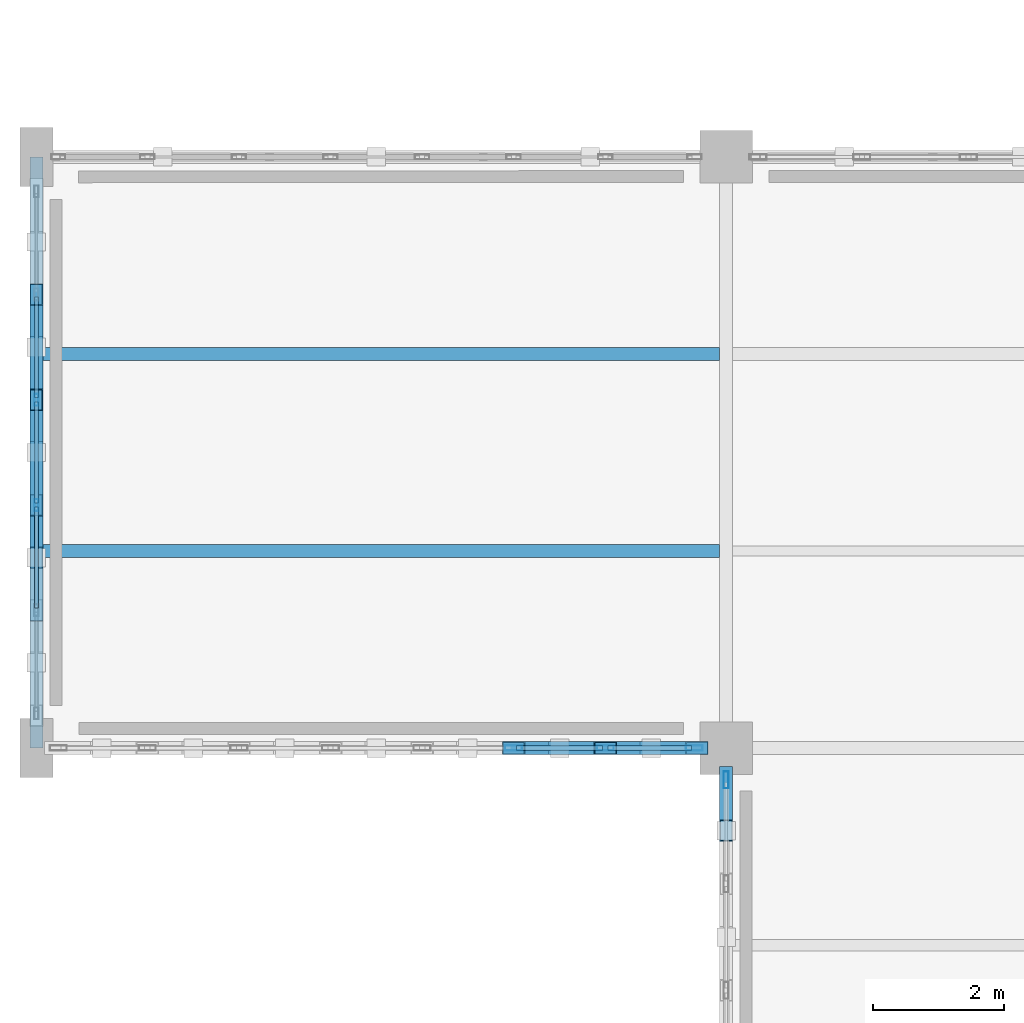
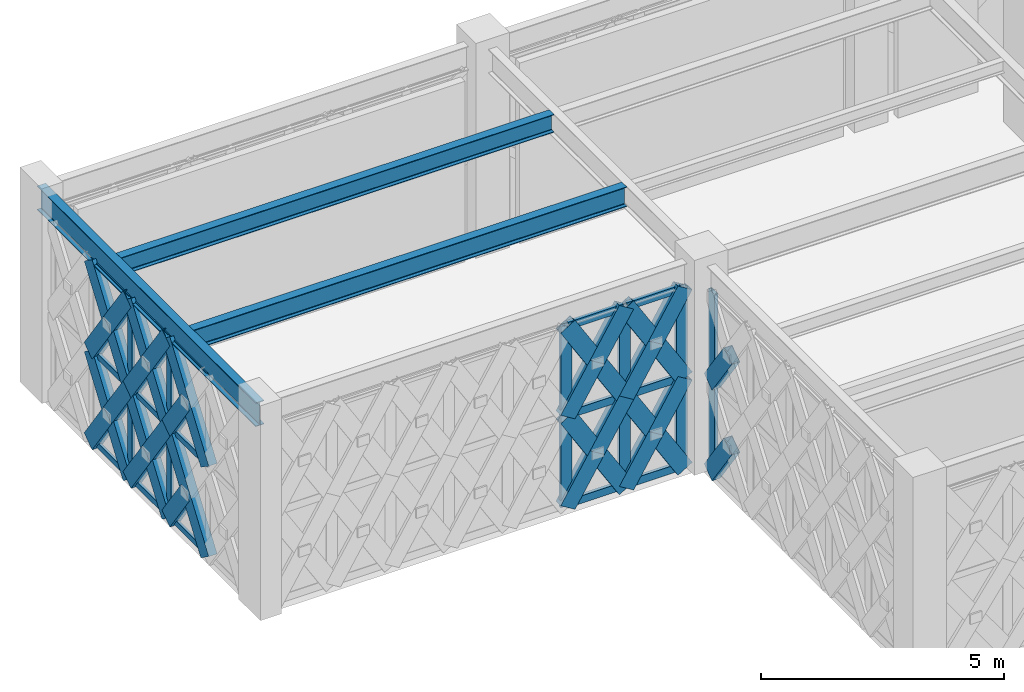
# One storey, part 6 of 86: 51 members, 3 beams, 3 elements without a shape of their own.
"""IFC4 building model written with IfcOpenShell, lengths in metres."""

import ifcopenshell
import ifcopenshell.guid

model = None  # the IFC model being written
_history = None  # IfcOwnerHistory: only IFC2X3 demands one
_inside = {}  # id of a spatial element -> (the spatial element, [elements in it])
_under = {}  # id of a project, library or spatial element -> (it, [spatial elements below it])
_declared = {}  # id of a project -> (the project, [libraries it declares])
_typed = {}  # id of a type object -> (the type object, [elements of that type])
_made_of = {}  # id of a material, layer set ... -> (it, [elements and type objects made of it])


def new_model(schema):
    """Start an empty IFC model of exactly this schema.

    Asked for "IFC4X3", IfcOpenShell would pick the latest addendum, in which some entities
    have other attributes; the version numbers below select the first issue.
    IFC2X3 requires an IfcOwnerHistory on every rooted entity: one is made here for all.
    """
    global model, _history
    if schema == "IFC4X3":
        model = ifcopenshell.file(schema_version=(4, 3, 0, 0))
    else:
        model = ifcopenshell.file(schema=schema)
    _inside.clear()
    _under.clear()
    _declared.clear()
    _typed.clear()
    _made_of.clear()
    _history = None
    if model.schema == "IFC2X3":
        org = make("IfcOrganization", Name="unknown")
        user = make(
            "IfcPersonAndOrganization",
            ThePerson=make("IfcPerson", FamilyName="unknown"),
            TheOrganization=org,
        )
        app = make(
            "IfcApplication",
            ApplicationDeveloper=org,
            Version="unknown",
            ApplicationFullName="unknown",
            ApplicationIdentifier="unknown",
        )
        _history = make(
            "IfcOwnerHistory",
            OwningUser=user,
            OwningApplication=app,
            ChangeAction="ADDED",
            CreationDate=0,
        )
    return model


def make(cls, **values):
    """One entity of the class cls with the attributes given. An attribute that is None is left unset."""
    return model.create_entity(
        cls, **{name: value for name, value in values.items() if value is not None}
    )


def rooted(cls, **values):
    """An entity with a GlobalId (a new one), such as an element, a storey or a relation."""
    return make(cls, GlobalId=ifcopenshell.guid.new(), OwnerHistory=_history, **values)


def si_unit(unit_type, name, prefix=None):
    """IfcSIUnit, for example si_unit("LENGTHUNIT", "METRE", prefix="MILLI")."""
    return make("IfcSIUnit", UnitType=unit_type, Prefix=prefix, Name=name)


def assignment(units):
    """IfcUnitAssignment: the units of a project."""
    return None if units is None else make("IfcUnitAssignment", Units=units)


def point(xyz):
    """IfcCartesianPoint."""
    return None if xyz is None else make("IfcCartesianPoint", Coordinates=xyz)


def direction(xyz):
    """IfcDirection."""
    return None if xyz is None else make("IfcDirection", DirectionRatios=xyz)


def frame(location, z_axis=None, x_axis=None):
    """IfcAxis2Placement3D, a coordinate frame: its origin and axes. An axis left out is left unset."""
    return make(
        "IfcAxis2Placement3D",
        Location=point(location),
        Axis=direction(z_axis),
        RefDirection=direction(x_axis),
    )


def frame_2d(location, x_axis=None):
    """IfcAxis2Placement2D, a coordinate frame in the plane: its origin and x axis."""
    return make(
        "IfcAxis2Placement2D", Location=point(location), RefDirection=direction(x_axis)
    )


def origin():
    """The frame at (0, 0, 0) with its axes left unset."""
    return frame((0.0, 0.0, 0.0))


def origin_2d():
    """The frame at (0, 0) in the plane with its x axis left unset."""
    return frame_2d((0.0, 0.0))


def place(relative_to, where):
    """IfcLocalPlacement: puts the frame where relative to a parent placement (None: the world)."""
    return make(
        "IfcLocalPlacement", PlacementRelTo=relative_to, RelativePlacement=where
    )


def context(
    kind, dimensions, precision=None, world=None, true_north=None, identifier=None
):
    """IfcGeometricRepresentationContext, for example the 3D "Model" context."""
    return make(
        "IfcGeometricRepresentationContext",
        ContextIdentifier=identifier,
        ContextType=kind,
        CoordinateSpaceDimension=dimensions,
        Precision=precision,
        WorldCoordinateSystem=world,
        TrueNorth=true_north,
    )


def subcontext(parent, identifier, kind, view, scale=None):
    """IfcGeometricRepresentationSubContext, for example "Body" below "Model"."""
    return make(
        "IfcGeometricRepresentationSubContext",
        ContextIdentifier=identifier,
        ContextType=kind,
        ParentContext=parent,
        TargetScale=scale,
        TargetView=view,
    )


def project(units=None, contexts=None):
    """IfcProject with its units and contexts."""
    return rooted(
        "IfcProject",
        Name="project",
        RepresentationContexts=contexts,
        UnitsInContext=assignment(units),
    )


def spatial(cls, under=None, at=None, **own):
    """A site, building, storey or space (cls), placed at a placement, below another one or the project."""
    s = rooted(cls, ObjectPlacement=at, **own)
    if under is not None:
        _under.setdefault(under.id(), (under, []))[1].append(s)
    return s


def profile(cls, at=None, kind="AREA", **sizes):
    """A parametric profile (cls). Its sizes go by their IFC names, for example OverallWidth=200.0."""
    return make(cls, ProfileType=kind, Position=at, **sizes)


def hollow_rectangle(**sizes):
    """IfcRectangleHollowProfileDef."""
    return profile("IfcRectangleHollowProfileDef", **sizes)


def i_section(**sizes):
    """IfcIShapeProfileDef."""
    return profile("IfcIShapeProfileDef", **sizes)


def extrude(swept, where, along, depth):
    """IfcExtrudedAreaSolid: the profile swept, set in the frame where, extruded along a direction by depth."""
    return make(
        "IfcExtrudedAreaSolid",
        SweptArea=swept,
        Position=where,
        ExtrudedDirection=direction(along),
        Depth=depth,
    )


def shape(context_of_items, identifier, shape_type, items):
    """IfcShapeRepresentation: the items that make up one representation, for example the "Body"."""
    return make(
        "IfcShapeRepresentation",
        ContextOfItems=context_of_items,
        RepresentationIdentifier=identifier,
        RepresentationType=shape_type,
        Items=items,
    )


def material(Name=None, Category=None):
    """IfcMaterial."""
    return make("IfcMaterial", Name=Name, Category=Category)


def material_profile(
    of_material, cross_section, Name=None, Category=None, Priority=None
):
    """IfcMaterialProfile: a cross section and its material."""
    return make(
        "IfcMaterialProfile",
        Name=Name,
        Material=of_material,
        Profile=cross_section,
        Priority=Priority,
        Category=Category,
    )


def profile_set(profiles, Name=None, composite=None):
    """IfcMaterialProfileSet."""
    return make(
        "IfcMaterialProfileSet",
        Name=Name,
        MaterialProfiles=profiles,
        CompositeProfile=composite,
    )


def made_of(thing, what):
    """Note that an element or type object is made of a material, layer set ...; save() writes the relation."""
    if what is not None:
        _made_of.setdefault(what.id(), (what, []))[1].append(thing)
    return thing


def type_object(cls, material=None, **own):
    """A type object (cls), such as IfcWallType, which elements share."""
    return made_of(rooted(cls, **own), material)


def element(
    cls,
    number,
    at=None,
    inside=None,
    cuts=None,
    type_object=None,
    material=None,
    context=None,
    identifier="Body",
    shape_type=None,
    held_by="IfcProductDefinitionShape",
    body=None,
    shapes=None,
    **own,
):
    """One element of the class cls, such as IfcWall. Its Tag is "e" and its number.

    at: its placement. inside: the storey or other place that contains it. cuts: it is an
    opening in that element (IfcRelVoidsElement). A single representation is given by context,
    identifier, shape_type and body (its items); several are given by shapes. held_by: the class
    of the entity that holds the representations. save() writes the other relations.
    """
    e = rooted(cls, Tag="e%d" % number, ObjectPlacement=at, **own)
    if body is not None:
        shapes = [shape(context, identifier, shape_type, body)]
    if shapes is not None:
        e.Representation = make(held_by, Representations=shapes)
    if inside is not None:
        _inside.setdefault(inside.id(), (inside, []))[1].append(e)
    if cuts is not None:
        rooted(
            "IfcRelVoidsElement", RelatingBuildingElement=cuts, RelatedOpeningElement=e
        )
    if type_object is not None:
        _typed.setdefault(type_object.id(), (type_object, []))[1].append(e)
    return made_of(e, material)


def aggregate(whole, parts):
    """IfcRelAggregates: a whole, such as a stair, and the parts it consists of."""
    return rooted("IfcRelAggregates", RelatingObject=whole, RelatedObjects=parts)


def save(model, path):
    """Write the relations noted so far, then the file.

    IfcRelAggregates (storeys below a building ...), IfcRelContainedInSpatialStructure (elements
    in a storey), IfcRelDefinesByType, IfcRelAssociatesMaterial and IfcRelDeclares: one each for
    every whole, place, type object, material and project.
    """
    for whole, parts in _under.values():
        aggregate(whole, parts)
    for where, things in _inside.values():
        rooted(
            "IfcRelContainedInSpatialStructure",
            RelatedElements=things,
            RelatingStructure=where,
        )
    for kind, things in _typed.values():
        rooted("IfcRelDefinesByType", RelatedObjects=things, RelatingType=kind)
    for what, things in _made_of.values():
        rooted("IfcRelAssociatesMaterial", RelatedObjects=things, RelatingMaterial=what)
    for by, libraries in _declared.values():
        rooted("IfcRelDeclares", RelatingContext=by, RelatedDefinitions=libraries)
    model.write(path)


model = new_model("IFC4")

# Units and contexts
model_context = context("Model", 3, precision=1e-05, world=origin(), true_north=direction((0.0, 1.0)))
body_context = subcontext(model_context, "Body", "Model", "MODEL_VIEW")
ifc_project = project(units=[si_unit("LENGTHUNIT", "METRE"), si_unit("AREAUNIT", "SQUARE_METRE"), si_unit("VOLUMEUNIT", "CUBIC_METRE"), si_unit("PLANEANGLEUNIT", "RADIAN"), si_unit("MASSUNIT", "GRAM", prefix="KILO")], contexts=[model_context])

# Site, building, storey
site_placement = place(None, origin())
site = spatial("IfcSite", under=ifc_project, at=site_placement, CompositionType="ELEMENT")
building_placement = place(site_placement, origin())
building = spatial("IfcBuilding", under=site, at=building_placement, Name="Haizhuo Lancet Aquarium", CompositionType="ELEMENT")
storey_placement = place(building_placement, frame((0.0, 0.0, 16.199951171875)))
storey = spatial("IfcBuildingStorey", under=building, at=storey_placement, Name="L03", CompositionType="ELEMENT", Elevation=16.199951171875)

# Beam
ifc_material_1 = material(Name="Steel S355", Category="steel")
ifc_material_profile_1 = material_profile(ifc_material_1, i_section(OverallWidth=0.199951171875, OverallDepth=0.60009765625, WebThickness=0.010986328125, FlangeThickness=0.01708984375, FilletRadius=0.02197265625, at=origin_2d()), Name="HN 600x200x11x17")
ifc_profile_set_1 = profile_set([ifc_material_profile_1], Name="Steel S355")
beam_type_1 = type_object("IfcBeamType", Name="BM-ST-HN600", PredefinedType="BEAM", material=ifc_profile_set_1)
beam_1_placement = place(storey_placement, frame((-82.5, -18.0, 4.85009765625), z_axis=(0.0, 1.0, 0.0), x_axis=(-1.0, 0.0, 0.0)))
element("IfcBeam", 1, at=beam_1_placement, inside=storey, type_object=beam_type_1, Name="L03 V6 primary girder BM-L03-V6-001", PredefinedType="BEAM", context=body_context, shape_type="SweptSolid", body=[
    extrude(i_section(OverallWidth=0.199951171875, OverallDepth=0.60009765625, WebThickness=0.010986328125, FlangeThickness=0.01708984375, FilletRadius=0.02197265625, at=origin_2d()), origin(), (0.0, 0.0, 1.0), 9.0),
])

# Curtain wall, members
ifc_material_2 = material(Name="Aluminium 6063-T6", Category="aluminium")
curtain_wall_type_1 = type_object("IfcCurtainWallType", Name="CWD-8010x4550", PredefinedType="NOTDEFINED", material=ifc_material_2)
curtain_wall_1_placement = place(storey_placement, origin())
curtain_wall_1 = element("IfcCurtainWall", 2, at=curtain_wall_1_placement, inside=storey, type_object=curtain_wall_type_1, Name="L03 curtain wall CW-V6-L03-229", PredefinedType="NOTDEFINED")
ifc_material_profile_2 = material_profile(ifc_material_2, hollow_rectangle(XDim=0.06494140625, YDim=0.179931640625, WallThickness=0.00390625, at=origin_2d()), Name="ALU-M 65x180x4")
ifc_profile_set_2 = profile_set([ifc_material_profile_2], Name="Aluminium 6063-T6")
member_type_1 = type_object("IfcMemberType", Name="CW-MUL-1", PredefinedType="MULLION", material=ifc_profile_set_2)
member_1_placement = place(storey_placement, frame((-82.5, -14.301025390625, 0.0), z_axis=(0.0, 0.0, 1.0), x_axis=(-1.0, 0.0, 0.0)))
member_1 = element("IfcMember", 3, at=member_1_placement, type_object=member_type_1, Name="CWD-80x45 mullion 3", PredefinedType="MULLION", context=body_context, shape_type="SweptSolid", body=[
    extrude(hollow_rectangle(XDim=0.06494140625, YDim=0.179931640625, WallThickness=0.00390625, at=origin_2d()), origin(), (0.0, 0.0, 1.0), 4.550048828125),
])
member_2_placement = place(storey_placement, frame((-82.5, -12.698974609375, 0.0), z_axis=(0.0, 0.0, 1.0), x_axis=(-1.0, 0.0, 0.0)))
member_2 = element("IfcMember", 4, at=member_2_placement, type_object=member_type_1, Name="CWD-80x45 mullion 4", PredefinedType="MULLION", context=body_context, shape_type="SweptSolid", body=[
    extrude(hollow_rectangle(XDim=0.06494140625, YDim=0.179931640625, WallThickness=0.00390625, at=origin_2d()), origin(), (0.0, 0.0, 1.0), 4.550048828125),
])

curtain_wall_type_2 = type_object("IfcCurtainWallType", Name="CWD-9760x4550", PredefinedType="NOTDEFINED", material=ifc_material_2)
curtain_wall_2_placement = place(storey_placement, origin())
curtain_wall_2 = element("IfcCurtainWall", 5, at=curtain_wall_2_placement, inside=storey, type_object=curtain_wall_type_2, Name="L03 curtain wall CW-V6-L03-228", PredefinedType="NOTDEFINED")
ifc_material_profile_3 = material_profile(ifc_material_2, hollow_rectangle(XDim=0.080078125, YDim=0.260009765625, WallThickness=0.0048828125, at=origin_2d()), Name="ALU-M 80x260x5")
ifc_profile_set_3 = profile_set([ifc_material_profile_3], Name="Aluminium 6063-T6")
member_type_2 = type_object("IfcMemberType", Name="CW-MUL-3", PredefinedType="MULLION", material=ifc_profile_set_3)
member_3_placement = place(storey_placement, frame((-72.485107421875, -18.0, 0.0), z_axis=(0.0, 0.0, 1.0), x_axis=(0.0, -1.0, 0.0)))
member_3 = element("IfcMember", 6, at=member_3_placement, type_object=member_type_2, Name="CWD-97x45 mullion 1", PredefinedType="MULLION", context=body_context, shape_type="SweptSolid", body=[
    extrude(hollow_rectangle(XDim=0.080078125, YDim=0.260009765625, WallThickness=0.0048828125, at=origin_2d()), origin(), (0.0, 0.0, 1.0), 4.550048828125),
])
member_4_placement = place(storey_placement, frame((-73.839111328125, -18.0, 0.0), z_axis=(0.0, 0.0, 1.0), x_axis=(0.0, -1.0, 0.0)))
member_4 = element("IfcMember", 7, at=member_4_placement, type_object=member_type_2, Name="CWD-97x45 mullion 2", PredefinedType="MULLION", context=body_context, shape_type="SweptSolid", body=[
    extrude(hollow_rectangle(XDim=0.080078125, YDim=0.260009765625, WallThickness=0.0048828125, at=origin_2d()), origin(), (0.0, 0.0, 1.0), 4.550048828125),
])
member_5_placement = place(storey_placement, frame((-75.23388671875, -18.0, 0.0), z_axis=(0.0, 0.0, 1.0), x_axis=(0.0, -1.0, 0.0)))
member_5 = element("IfcMember", 8, at=member_5_placement, type_object=member_type_2, Name="CWD-97x45 mullion 3", PredefinedType="MULLION", context=body_context, shape_type="SweptSolid", body=[
    extrude(hollow_rectangle(XDim=0.080078125, YDim=0.260009765625, WallThickness=0.0048828125, at=origin_2d()), origin(), (0.0, 0.0, 1.0), 4.550048828125),
])

# Curtain wall, member
curtain_wall_type_3 = type_object("IfcCurtainWallType", Name="CWD-8110x4550", PredefinedType="NOTDEFINED", material=ifc_material_2)
curtain_wall_3_placement = place(storey_placement, origin())
curtain_wall_3 = element("IfcCurtainWall", 9, at=curtain_wall_3_placement, inside=storey, type_object=curtain_wall_type_3, Name="L03 curtain wall CW-V6-L03-243", PredefinedType="NOTDEFINED")
member_6_placement = place(storey_placement, frame((-72.0, -18.485107421875, 0.0), z_axis=(0.0, 0.0, 1.0), x_axis=(-1.0, 0.0, 0.0)))
member_6 = element("IfcMember", 10, at=member_6_placement, type_object=member_type_2, Name="CWD-81x45 mullion 6", PredefinedType="MULLION", context=body_context, shape_type="SweptSolid", body=[
    extrude(hollow_rectangle(XDim=0.080078125, YDim=0.260009765625, WallThickness=0.0048828125, at=origin_2d()), origin(), (0.0, 0.0, 1.0), 4.550048828125),
])
aggregate(curtain_wall_3, [member_6])

# Member
ifc_material_profile_4 = material_profile(ifc_material_2, hollow_rectangle(XDim=0.06494140625, YDim=0.139892578125, WallThickness=0.00390625, at=origin_2d()), Name="ALU-T 65x140x4")
ifc_profile_set_4 = profile_set([ifc_material_profile_4], Name="Aluminium 6063-T6")
member_type_3 = type_object("IfcMemberType", Name="CW-TRN-1", PredefinedType="NOTDEFINED", material=ifc_profile_set_4)
member_7_placement = place(storey_placement, frame((-82.5, -15.8701171875, 0.031982421875), z_axis=(0.0, 1.0, 0.0), x_axis=(-1.0, 0.0, 0.0)))
member_7 = element("IfcMember", 11, at=member_7_placement, type_object=member_type_3, Name="CWD-80x45 transom 2.1", ObjectType="TRANSOM", PredefinedType="USERDEFINED", context=body_context, shape_type="SweptSolid", body=[
    extrude(hollow_rectangle(XDim=0.06494140625, YDim=0.139892578125, WallThickness=0.00390625, at=origin_2d()), origin(), (0.0, 0.0, 1.0), 1.537109375),
])

member_8_placement = place(storey_placement, frame((-82.5, -15.8701171875, 2.275146484375), z_axis=(0.0, 1.0, 0.0), x_axis=(-1.0, 0.0, 0.0)))
member_8 = element("IfcMember", 12, at=member_8_placement, type_object=member_type_3, Name="CWD-80x45 transom 2.2", ObjectType="TRANSOM", PredefinedType="USERDEFINED", context=body_context, shape_type="SweptSolid", body=[
    extrude(hollow_rectangle(XDim=0.06494140625, YDim=0.139892578125, WallThickness=0.00390625, at=origin_2d()), origin(), (0.0, 0.0, 1.0), 1.537109375),
])

member_9_placement = place(storey_placement, frame((-82.5, -15.8701171875, 4.51806640625), z_axis=(0.0, 1.0, 0.0), x_axis=(-1.0, 0.0, 0.0)))
member_9 = element("IfcMember", 13, at=member_9_placement, type_object=member_type_3, Name="CWD-80x45 transom 2.3", ObjectType="TRANSOM", PredefinedType="USERDEFINED", context=body_context, shape_type="SweptSolid", body=[
    extrude(hollow_rectangle(XDim=0.06494140625, YDim=0.139892578125, WallThickness=0.00390625, at=origin_2d()), origin(), (0.0, 0.0, 1.0), 1.537109375),
])

member_10_placement = place(storey_placement, frame((-82.5, -14.26806640625, 0.031982421875), z_axis=(0.0, 1.0, 0.0), x_axis=(-1.0, 0.0, 0.0)))
member_10 = element("IfcMember", 14, at=member_10_placement, type_object=member_type_3, Name="CWD-80x45 transom 3.1", ObjectType="TRANSOM", PredefinedType="USERDEFINED", context=body_context, shape_type="SweptSolid", body=[
    extrude(hollow_rectangle(XDim=0.06494140625, YDim=0.139892578125, WallThickness=0.00390625, at=origin_2d()), origin(), (0.0, 0.0, 1.0), 1.5361328125),
])

member_11_placement = place(storey_placement, frame((-82.5, -14.26806640625, 2.275146484375), z_axis=(0.0, 1.0, 0.0), x_axis=(-1.0, 0.0, 0.0)))
member_11 = element("IfcMember", 15, at=member_11_placement, type_object=member_type_3, Name="CWD-80x45 transom 3.2", ObjectType="TRANSOM", PredefinedType="USERDEFINED", context=body_context, shape_type="SweptSolid", body=[
    extrude(hollow_rectangle(XDim=0.06494140625, YDim=0.139892578125, WallThickness=0.00390625, at=origin_2d()), origin(), (0.0, 0.0, 1.0), 1.5361328125),
])

member_12_placement = place(storey_placement, frame((-82.5, -14.26806640625, 4.51806640625), z_axis=(0.0, 1.0, 0.0), x_axis=(-1.0, 0.0, 0.0)))
member_12 = element("IfcMember", 16, at=member_12_placement, type_object=member_type_3, Name="CWD-80x45 transom 3.3", ObjectType="TRANSOM", PredefinedType="USERDEFINED", context=body_context, shape_type="SweptSolid", body=[
    extrude(hollow_rectangle(XDim=0.06494140625, YDim=0.139892578125, WallThickness=0.00390625, at=origin_2d()), origin(), (0.0, 0.0, 1.0), 1.5361328125),
])

member_13_placement = place(storey_placement, frame((-82.5, -12.666015625, 0.031982421875), z_axis=(0.0, 1.0, 0.0), x_axis=(-1.0, 0.0, 0.0)))
member_13 = element("IfcMember", 17, at=member_13_placement, type_object=member_type_3, Name="CWD-80x45 transom 4.1", ObjectType="TRANSOM", PredefinedType="USERDEFINED", context=body_context, shape_type="SweptSolid", body=[
    extrude(hollow_rectangle(XDim=0.06494140625, YDim=0.139892578125, WallThickness=0.00390625, at=origin_2d()), origin(), (0.0, 0.0, 1.0), 1.5361328125),
])

member_14_placement = place(storey_placement, frame((-82.5, -12.666015625, 2.275146484375), z_axis=(0.0, 1.0, 0.0), x_axis=(-1.0, 0.0, 0.0)))
member_14 = element("IfcMember", 18, at=member_14_placement, type_object=member_type_3, Name="CWD-80x45 transom 4.2", ObjectType="TRANSOM", PredefinedType="USERDEFINED", context=body_context, shape_type="SweptSolid", body=[
    extrude(hollow_rectangle(XDim=0.06494140625, YDim=0.139892578125, WallThickness=0.00390625, at=origin_2d()), origin(), (0.0, 0.0, 1.0), 1.5361328125),
])

member_15_placement = place(storey_placement, frame((-82.5, -12.666015625, 4.51806640625), z_axis=(0.0, 1.0, 0.0), x_axis=(-1.0, 0.0, 0.0)))
member_15 = element("IfcMember", 19, at=member_15_placement, type_object=member_type_3, Name="CWD-80x45 transom 4.3", ObjectType="TRANSOM", PredefinedType="USERDEFINED", context=body_context, shape_type="SweptSolid", body=[
    extrude(hollow_rectangle(XDim=0.06494140625, YDim=0.139892578125, WallThickness=0.00390625, at=origin_2d()), origin(), (0.0, 0.0, 1.0), 1.5361328125),
])

aggregate(curtain_wall_1, [member_1, member_2, member_7, member_8, member_9, member_10, member_11, member_12, member_13, member_14, member_15])

ifc_material_profile_5 = material_profile(ifc_material_2, hollow_rectangle(XDim=0.080078125, YDim=0.18994140625, WallThickness=0.0048828125, at=origin_2d()), Name="ALU-T 80x190x5")
ifc_profile_set_5 = profile_set([ifc_material_profile_5], Name="Aluminium 6063-T6")
member_type_4 = type_object("IfcMemberType", Name="CW-TRN-3", PredefinedType="NOTDEFINED", material=ifc_profile_set_5)
member_16_placement = place(storey_placement, frame((-72.52490234375, -18.0, 0.0400390625), z_axis=(-1.0, 0.0, 0.0), x_axis=(0.0, -1.0, 0.0)))
member_16 = element("IfcMember", 20, at=member_16_placement, type_object=member_type_4, Name="CWD-97x45 transom 1.1", ObjectType="TRANSOM", PredefinedType="USERDEFINED", context=body_context, shape_type="SweptSolid", body=[
    extrude(hollow_rectangle(XDim=0.080078125, YDim=0.18994140625, WallThickness=0.0048828125, at=origin_2d()), origin(), (0.0, 0.0, 1.0), 1.274169921875),
])

member_17_placement = place(storey_placement, frame((-72.52490234375, -18.0, 2.275146484375), z_axis=(-1.0, 0.0, 0.0), x_axis=(0.0, -1.0, 0.0)))
member_17 = element("IfcMember", 21, at=member_17_placement, type_object=member_type_4, Name="CWD-97x45 transom 1.2", ObjectType="TRANSOM", PredefinedType="USERDEFINED", context=body_context, shape_type="SweptSolid", body=[
    extrude(hollow_rectangle(XDim=0.080078125, YDim=0.18994140625, WallThickness=0.0048828125, at=origin_2d()), origin(), (0.0, 0.0, 1.0), 1.274169921875),
])

member_18_placement = place(storey_placement, frame((-72.52490234375, -18.0, 4.510009765625), z_axis=(-1.0, 0.0, 0.0), x_axis=(0.0, -1.0, 0.0)))
member_18 = element("IfcMember", 22, at=member_18_placement, type_object=member_type_4, Name="CWD-97x45 transom 1.3", ObjectType="TRANSOM", PredefinedType="USERDEFINED", context=body_context, shape_type="SweptSolid", body=[
    extrude(hollow_rectangle(XDim=0.080078125, YDim=0.18994140625, WallThickness=0.0048828125, at=origin_2d()), origin(), (0.0, 0.0, 1.0), 1.274169921875),
])

member_19_placement = place(storey_placement, frame((-73.87890625, -18.0, 0.0400390625), z_axis=(-1.0, 0.0, 0.0), x_axis=(0.0, -1.0, 0.0)))
member_19 = element("IfcMember", 23, at=member_19_placement, type_object=member_type_4, Name="CWD-97x45 transom 2.1", ObjectType="TRANSOM", PredefinedType="USERDEFINED", context=body_context, shape_type="SweptSolid", body=[
    extrude(hollow_rectangle(XDim=0.080078125, YDim=0.18994140625, WallThickness=0.0048828125, at=origin_2d()), origin(), (0.0, 0.0, 1.0), 1.315185546875),
])

member_20_placement = place(storey_placement, frame((-73.87890625, -18.0, 2.275146484375), z_axis=(-1.0, 0.0, 0.0), x_axis=(0.0, -1.0, 0.0)))
member_20 = element("IfcMember", 24, at=member_20_placement, type_object=member_type_4, Name="CWD-97x45 transom 2.2", ObjectType="TRANSOM", PredefinedType="USERDEFINED", context=body_context, shape_type="SweptSolid", body=[
    extrude(hollow_rectangle(XDim=0.080078125, YDim=0.18994140625, WallThickness=0.0048828125, at=origin_2d()), origin(), (0.0, 0.0, 1.0), 1.315185546875),
])

member_21_placement = place(storey_placement, frame((-73.87890625, -18.0, 4.510009765625), z_axis=(-1.0, 0.0, 0.0), x_axis=(0.0, -1.0, 0.0)))
member_21 = element("IfcMember", 25, at=member_21_placement, type_object=member_type_4, Name="CWD-97x45 transom 2.3", ObjectType="TRANSOM", PredefinedType="USERDEFINED", context=body_context, shape_type="SweptSolid", body=[
    extrude(hollow_rectangle(XDim=0.080078125, YDim=0.18994140625, WallThickness=0.0048828125, at=origin_2d()), origin(), (0.0, 0.0, 1.0), 1.315185546875),
])

aggregate(curtain_wall_2, [member_3, member_4, member_5, member_16, member_17, member_18, member_19, member_20, member_21])

# Beams
ifc_material_profile_6 = material_profile(ifc_material_1, i_section(OverallWidth=0.199951171875, OverallDepth=0.449951171875, WebThickness=0.009033203125, FlangeThickness=0.013916015625, FilletRadius=0.01806640625, at=origin_2d()), Name="HN 450x200x9x14")
ifc_profile_set_6 = profile_set([ifc_material_profile_6], Name="Steel S355")
beam_type_2 = type_object("IfcBeamType", Name="JST-ST-HN450", PredefinedType="JOIST", material=ifc_profile_set_6)
beam_2_placement = place(storey_placement, frame((-82.39990234375, -12.0, 4.925048828125), z_axis=(1.0, 0.0, 0.0), x_axis=(0.0, 1.0, 0.0)))
element("IfcBeam", 26, at=beam_2_placement, inside=storey, type_object=beam_type_2, Name="L03 V6 secondary floor joist 2", PredefinedType="JOIST", context=body_context, shape_type="SweptSolid", body=[
    extrude(i_section(OverallWidth=0.199951171875, OverallDepth=0.449951171875, WebThickness=0.009033203125, FlangeThickness=0.013916015625, FilletRadius=0.01806640625, at=origin_2d()), origin(), (0.0, 0.0, 1.0), 10.2998046875),
])
ifc_material_profile_7 = material_profile(ifc_material_1, i_section(OverallWidth=0.199951171875, OverallDepth=0.5, WebThickness=0.010009765625, FlangeThickness=0.01611328125, FilletRadius=0.02001953125, at=origin_2d()), Name="HN 500x200x10x16")
ifc_profile_set_7 = profile_set([ifc_material_profile_7], Name="Steel S355")
beam_type_3 = type_object("IfcBeamType", Name="JST-ST-HN500", PredefinedType="JOIST", material=ifc_profile_set_7)
beam_3_placement = place(storey_placement, frame((-82.39990234375, -15.0, 4.900146484375), z_axis=(1.0, 0.0, 0.0), x_axis=(0.0, 1.0, 0.0)))
element("IfcBeam", 27, at=beam_3_placement, inside=storey, type_object=beam_type_3, Name="L03 V6 secondary floor joist 1", PredefinedType="JOIST", context=body_context, shape_type="SweptSolid", body=[
    extrude(i_section(OverallWidth=0.199951171875, OverallDepth=0.5, WebThickness=0.010009765625, FlangeThickness=0.01611328125, FilletRadius=0.02001953125, at=origin_2d()), origin(), (0.0, 0.0, 1.0), 10.2998046875),
])

# Members
ifc_material_profile_8 = material_profile(ifc_material_1, hollow_rectangle(XDim=0.199951171875, YDim=0.39990234375, WallThickness=0.011962890625, at=origin_2d()), Name="RHS 200x400x12")
ifc_profile_set_8 = profile_set([ifc_material_profile_8], Name="Steel S355")
member_type_5 = type_object("IfcMemberType", Name="MEM-LB-RHS200x400", PredefinedType="BRACE", material=ifc_profile_set_8)
member_22_placement = place(storey_placement, frame((-72.445068359375, -18.0, 0.0), z_axis=(-0.522452629968, 0.0, 0.852668311502), x_axis=(0.0, -1.0, 0.0)))
element("IfcMember", 28, at=member_22_placement, inside=storey, type_object=member_type_5, Name="Gothic lancet continuous diagonal brace CW-V6-L03-228 1A", PredefinedType="BRACE", context=body_context, shape_type="SweptSolid", body=[
    extrude(hollow_rectangle(XDim=0.199951171875, YDim=0.39990234375, WallThickness=0.011962890625, at=origin_2d()), origin(), (0.0, 0.0, 1.0), 2.668212890625),
])
member_23_placement = place(storey_placement, frame((-73.839111328125, -18.0, 0.0), z_axis=(0.522656496285, 0.0, 0.852543363643), x_axis=(0.0, 1.0, 0.0)))
element("IfcMember", 29, at=member_23_placement, inside=storey, type_object=member_type_5, Name="Gothic lancet split diagonal brace CW-V6-L03-228 1B1", PredefinedType="BRACE", context=body_context, shape_type="SweptSolid", body=[
    extrude(hollow_rectangle(XDim=0.199951171875, YDim=0.39990234375, WallThickness=0.011962890625, at=origin_2d()), origin(), (0.0, 0.0, 1.0), 1.33349609375),
])
member_24_placement = place(storey_placement, frame((-73.14208984375, -18.0, 1.136962890625), z_axis=(0.522248892805, 0.0, 0.852793113225), x_axis=(0.0, 1.0, 0.0)))
element("IfcMember", 30, at=member_24_placement, inside=storey, type_object=member_type_5, Name="Gothic lancet split diagonal brace CW-V6-L03-228 1B2", PredefinedType="BRACE", context=body_context, shape_type="SweptSolid", body=[
    extrude(hollow_rectangle(XDim=0.199951171875, YDim=0.39990234375, WallThickness=0.011962890625, at=origin_2d()), origin(), (0.0, 0.0, 1.0), 1.334716796875),
])
member_25_placement = place(storey_placement, frame((-72.445068359375, -18.0, 2.275146484375), z_axis=(-0.522493392897, 0.0, 0.852643333627), x_axis=(0.0, -1.0, 0.0)))
element("IfcMember", 31, at=member_25_placement, inside=storey, type_object=member_type_5, Name="Gothic lancet continuous diagonal brace CW-V6-L03-228 2A", PredefinedType="BRACE", context=body_context, shape_type="SweptSolid", body=[
    extrude(hollow_rectangle(XDim=0.199951171875, YDim=0.39990234375, WallThickness=0.011962890625, at=origin_2d()), origin(), (0.0, 0.0, 1.0), 2.66796875),
])
member_26_placement = place(storey_placement, frame((-73.839111328125, -18.0, 2.275146484375), z_axis=(0.522330372177, 0.0, 0.852743210059), x_axis=(0.0, 1.0, 0.0)))
element("IfcMember", 32, at=member_26_placement, inside=storey, type_object=member_type_5, Name="Gothic lancet split diagonal brace CW-V6-L03-228 2B1", PredefinedType="BRACE", context=body_context, shape_type="SweptSolid", body=[
    extrude(hollow_rectangle(XDim=0.199951171875, YDim=0.39990234375, WallThickness=0.011962890625, at=origin_2d()), origin(), (0.0, 0.0, 1.0), 1.33447265625),
])
member_27_placement = place(storey_placement, frame((-73.14208984375, -18.0, 3.4130859375), z_axis=(0.522656496285, 0.0, 0.852543363643), x_axis=(0.0, 1.0, 0.0)))
element("IfcMember", 33, at=member_27_placement, inside=storey, type_object=member_type_5, Name="Gothic lancet split diagonal brace CW-V6-L03-228 2B2", PredefinedType="BRACE", context=body_context, shape_type="SweptSolid", body=[
    extrude(hollow_rectangle(XDim=0.199951171875, YDim=0.39990234375, WallThickness=0.011962890625, at=origin_2d()), origin(), (0.0, 0.0, 1.0), 1.33349609375),
])
member_28_placement = place(storey_placement, frame((-73.839111328125, -18.0, 0.0), z_axis=(-0.522652155688, 0.0, 0.852546024655), x_axis=(0.0, -1.0, 0.0)))
element("IfcMember", 34, at=member_28_placement, inside=storey, type_object=member_type_5, Name="Gothic lancet continuous diagonal brace CW-V6-L03-228 3A", PredefinedType="BRACE", context=body_context, shape_type="SweptSolid", body=[
    extrude(hollow_rectangle(XDim=0.199951171875, YDim=0.39990234375, WallThickness=0.011962890625, at=origin_2d()), origin(), (0.0, 0.0, 1.0), 2.668701171875),
])
member_29_placement = place(storey_placement, frame((-75.23388671875, -18.0, 0.0), z_axis=(0.523188425491, 0.0, 0.852217033057), x_axis=(0.0, 1.0, 0.0)))
element("IfcMember", 35, at=member_29_placement, inside=storey, type_object=member_type_5, Name="Gothic lancet split diagonal brace CW-V6-L03-228 3B1", PredefinedType="BRACE", context=body_context, shape_type="SweptSolid", body=[
    extrude(hollow_rectangle(XDim=0.199951171875, YDim=0.39990234375, WallThickness=0.011962890625, at=origin_2d()), origin(), (0.0, 0.0, 1.0), 1.334228515625),
])
member_30_placement = place(storey_placement, frame((-74.535888671875, -18.0, 1.136962890625), z_axis=(0.522115840925, 0.0, 0.852874579675), x_axis=(0.0, 1.0, 0.0)))
element("IfcMember", 36, at=member_30_placement, inside=storey, type_object=member_type_5, Name="Gothic lancet split diagonal brace CW-V6-L03-228 3B2", PredefinedType="BRACE", context=body_context, shape_type="SweptSolid", body=[
    extrude(hollow_rectangle(XDim=0.199951171875, YDim=0.39990234375, WallThickness=0.011962890625, at=origin_2d()), origin(), (0.0, 0.0, 1.0), 1.33447265625),
])
member_31_placement = place(storey_placement, frame((-73.839111328125, -18.0, 2.275146484375), z_axis=(-0.522692922486, 0.0, 0.852521031285), x_axis=(0.0, -1.0, 0.0)))
element("IfcMember", 37, at=member_31_placement, inside=storey, type_object=member_type_5, Name="Gothic lancet continuous diagonal brace CW-V6-L03-228 4A", PredefinedType="BRACE", context=body_context, shape_type="SweptSolid", body=[
    extrude(hollow_rectangle(XDim=0.199951171875, YDim=0.39990234375, WallThickness=0.011962890625, at=origin_2d()), origin(), (0.0, 0.0, 1.0), 2.66845703125),
])
member_32_placement = place(storey_placement, frame((-75.23388671875, -18.0, 2.275146484375), z_axis=(0.522862219108, 0.0, 0.852417209956), x_axis=(0.0, 1.0, 0.0)))
element("IfcMember", 38, at=member_32_placement, inside=storey, type_object=member_type_5, Name="Gothic lancet split diagonal brace CW-V6-L03-228 4B1", PredefinedType="BRACE", context=body_context, shape_type="SweptSolid", body=[
    extrude(hollow_rectangle(XDim=0.199951171875, YDim=0.39990234375, WallThickness=0.011962890625, at=origin_2d()), origin(), (0.0, 0.0, 1.0), 1.3349609375),
])
member_33_placement = place(storey_placement, frame((-74.535888671875, -18.0, 3.4130859375), z_axis=(0.522523418512, 0.0, 0.85262493343), x_axis=(0.0, 1.0, 0.0)))
element("IfcMember", 39, at=member_33_placement, inside=storey, type_object=member_type_5, Name="Gothic lancet split diagonal brace CW-V6-L03-228 4B2", PredefinedType="BRACE", context=body_context, shape_type="SweptSolid", body=[
    extrude(hollow_rectangle(XDim=0.199951171875, YDim=0.39990234375, WallThickness=0.011962890625, at=origin_2d()), origin(), (0.0, 0.0, 1.0), 1.33349609375),
])
member_34_placement = place(storey_placement, frame((-82.5, -15.903076171875, 0.0), z_axis=(0.0, 0.575738967075, 0.81763356205), x_axis=(-1.0, 0.0, 0.0)))
element("IfcMember", 40, at=member_34_placement, inside=storey, type_object=member_type_5, Name="Gothic lancet continuous diagonal brace CW-V6-L03-229 3A", PredefinedType="BRACE", context=body_context, shape_type="SweptSolid", body=[
    extrude(hollow_rectangle(XDim=0.199951171875, YDim=0.39990234375, WallThickness=0.011962890625, at=origin_2d()), origin(), (0.0, 0.0, 1.0), 2.78271484375),
])
member_35_placement = place(storey_placement, frame((-82.5, -14.301025390625, 0.0), z_axis=(0.0, -0.575945534052, 0.817488068296), x_axis=(1.0, 0.0, 0.0)))
element("IfcMember", 41, at=member_35_placement, inside=storey, type_object=member_type_5, Name="Gothic lancet split diagonal brace CW-V6-L03-229 3B1", PredefinedType="BRACE", context=body_context, shape_type="SweptSolid", body=[
    extrude(hollow_rectangle(XDim=0.199951171875, YDim=0.39990234375, WallThickness=0.011962890625, at=origin_2d()), origin(), (0.0, 0.0, 1.0), 1.390869140625),
])
member_36_placement = place(storey_placement, frame((-82.5, -15.903076171875, 2.275146484375), z_axis=(0.0, 0.575780271556, 0.817604475824), x_axis=(-1.0, 0.0, 0.0)))
element("IfcMember", 42, at=member_36_placement, inside=storey, type_object=member_type_5, Name="Gothic lancet continuous diagonal brace CW-V6-L03-229 4A", PredefinedType="BRACE", context=body_context, shape_type="SweptSolid", body=[
    extrude(hollow_rectangle(XDim=0.199951171875, YDim=0.39990234375, WallThickness=0.011962890625, at=origin_2d()), origin(), (0.0, 0.0, 1.0), 2.782470703125),
])
member_37_placement = place(storey_placement, frame((-82.5, -14.301025390625, 2.275146484375), z_axis=(0.0, -0.575615080373, 0.817720783182), x_axis=(1.0, 0.0, 0.0)))
element("IfcMember", 43, at=member_37_placement, inside=storey, type_object=member_type_5, Name="Gothic lancet split diagonal brace CW-V6-L03-229 4B1", PredefinedType="BRACE", context=body_context, shape_type="SweptSolid", body=[
    extrude(hollow_rectangle(XDim=0.199951171875, YDim=0.39990234375, WallThickness=0.011962890625, at=origin_2d()), origin(), (0.0, 0.0, 1.0), 1.3916015625),
])
member_38_placement = place(storey_placement, frame((-82.5, -14.301025390625, 0.0), z_axis=(0.0, 0.575738967075, 0.81763356205), x_axis=(-1.0, 0.0, 0.0)))
element("IfcMember", 44, at=member_38_placement, inside=storey, type_object=member_type_5, Name="Gothic lancet continuous diagonal brace CW-V6-L03-229 5A", PredefinedType="BRACE", context=body_context, shape_type="SweptSolid", body=[
    extrude(hollow_rectangle(XDim=0.199951171875, YDim=0.39990234375, WallThickness=0.011962890625, at=origin_2d()), origin(), (0.0, 0.0, 1.0), 2.78271484375),
])
member_39_placement = place(storey_placement, frame((-82.5, -12.698974609375, 0.0), z_axis=(0.0, -0.575945534052, 0.817488068296), x_axis=(1.0, 0.0, 0.0)))
element("IfcMember", 45, at=member_39_placement, inside=storey, type_object=member_type_5, Name="Gothic lancet split diagonal brace CW-V6-L03-229 5B1", PredefinedType="BRACE", context=body_context, shape_type="SweptSolid", body=[
    extrude(hollow_rectangle(XDim=0.199951171875, YDim=0.39990234375, WallThickness=0.011962890625, at=origin_2d()), origin(), (0.0, 0.0, 1.0), 1.390869140625),
])
member_40_placement = place(storey_placement, frame((-82.5, -13.5, 1.136962890625), z_axis=(0.0, -0.575532511518, 0.817778899328), x_axis=(1.0, 0.0, 0.0)))
element("IfcMember", 46, at=member_40_placement, inside=storey, type_object=member_type_5, Name="Gothic lancet split diagonal brace CW-V6-L03-229 5B2", PredefinedType="BRACE", context=body_context, shape_type="SweptSolid", body=[
    extrude(hollow_rectangle(XDim=0.199951171875, YDim=0.39990234375, WallThickness=0.011962890625, at=origin_2d()), origin(), (0.0, 0.0, 1.0), 1.391845703125),
])
member_41_placement = place(storey_placement, frame((-82.5, -14.301025390625, 2.275146484375), z_axis=(0.0, 0.575780271556, 0.817604475824), x_axis=(-1.0, 0.0, 0.0)))
element("IfcMember", 47, at=member_41_placement, inside=storey, type_object=member_type_5, Name="Gothic lancet continuous diagonal brace CW-V6-L03-229 6A", PredefinedType="BRACE", context=body_context, shape_type="SweptSolid", body=[
    extrude(hollow_rectangle(XDim=0.199951171875, YDim=0.39990234375, WallThickness=0.011962890625, at=origin_2d()), origin(), (0.0, 0.0, 1.0), 2.782470703125),
])
member_42_placement = place(storey_placement, frame((-82.5, -12.698974609375, 2.275146484375), z_axis=(0.0, -0.575615080373, 0.817720783182), x_axis=(1.0, 0.0, 0.0)))
element("IfcMember", 48, at=member_42_placement, inside=storey, type_object=member_type_5, Name="Gothic lancet split diagonal brace CW-V6-L03-229 6B1", PredefinedType="BRACE", context=body_context, shape_type="SweptSolid", body=[
    extrude(hollow_rectangle(XDim=0.199951171875, YDim=0.39990234375, WallThickness=0.011962890625, at=origin_2d()), origin(), (0.0, 0.0, 1.0), 1.3916015625),
])
member_43_placement = place(storey_placement, frame((-82.5, -13.5, 3.4130859375), z_axis=(0.0, -0.575945534052, 0.817488068296), x_axis=(1.0, 0.0, 0.0)))
element("IfcMember", 49, at=member_43_placement, inside=storey, type_object=member_type_5, Name="Gothic lancet split diagonal brace CW-V6-L03-229 6B2", PredefinedType="BRACE", context=body_context, shape_type="SweptSolid", body=[
    extrude(hollow_rectangle(XDim=0.199951171875, YDim=0.39990234375, WallThickness=0.011962890625, at=origin_2d()), origin(), (0.0, 0.0, 1.0), 1.390869140625),
])
member_44_placement = place(storey_placement, frame((-82.5, -12.698974609375, 0.0), z_axis=(0.0, 0.575738967075, 0.81763356205), x_axis=(-1.0, 0.0, 0.0)))
element("IfcMember", 50, at=member_44_placement, inside=storey, type_object=member_type_5, Name="Gothic lancet continuous diagonal brace CW-V6-L03-229 7A", PredefinedType="BRACE", context=body_context, shape_type="SweptSolid", body=[
    extrude(hollow_rectangle(XDim=0.199951171875, YDim=0.39990234375, WallThickness=0.011962890625, at=origin_2d()), origin(), (0.0, 0.0, 1.0), 2.78271484375),
])
member_45_placement = place(storey_placement, frame((-82.5, -11.096923828125, 0.0), z_axis=(0.0, -0.575945534052, 0.817488068296), x_axis=(1.0, 0.0, 0.0)))
element("IfcMember", 51, at=member_45_placement, inside=storey, type_object=member_type_5, Name="Gothic lancet split diagonal brace CW-V6-L03-229 7B1", PredefinedType="BRACE", context=body_context, shape_type="SweptSolid", body=[
    extrude(hollow_rectangle(XDim=0.199951171875, YDim=0.39990234375, WallThickness=0.011962890625, at=origin_2d()), origin(), (0.0, 0.0, 1.0), 1.390869140625),
])
member_46_placement = place(storey_placement, frame((-82.5, -11.89794921875, 1.136962890625), z_axis=(0.0, -0.575532511518, 0.817778899328), x_axis=(1.0, 0.0, 0.0)))
element("IfcMember", 52, at=member_46_placement, inside=storey, type_object=member_type_5, Name="Gothic lancet split diagonal brace CW-V6-L03-229 7B2", PredefinedType="BRACE", context=body_context, shape_type="SweptSolid", body=[
    extrude(hollow_rectangle(XDim=0.199951171875, YDim=0.39990234375, WallThickness=0.011962890625, at=origin_2d()), origin(), (0.0, 0.0, 1.0), 1.391845703125),
])
member_47_placement = place(storey_placement, frame((-82.5, -12.698974609375, 2.275146484375), z_axis=(0.0, 0.575780271556, 0.817604475824), x_axis=(-1.0, 0.0, 0.0)))
element("IfcMember", 53, at=member_47_placement, inside=storey, type_object=member_type_5, Name="Gothic lancet continuous diagonal brace CW-V6-L03-229 8A", PredefinedType="BRACE", context=body_context, shape_type="SweptSolid", body=[
    extrude(hollow_rectangle(XDim=0.199951171875, YDim=0.39990234375, WallThickness=0.011962890625, at=origin_2d()), origin(), (0.0, 0.0, 1.0), 2.782470703125),
])
member_48_placement = place(storey_placement, frame((-82.5, -11.096923828125, 2.275146484375), z_axis=(0.0, -0.575615080373, 0.817720783182), x_axis=(1.0, 0.0, 0.0)))
element("IfcMember", 54, at=member_48_placement, inside=storey, type_object=member_type_5, Name="Gothic lancet split diagonal brace CW-V6-L03-229 8B1", PredefinedType="BRACE", context=body_context, shape_type="SweptSolid", body=[
    extrude(hollow_rectangle(XDim=0.199951171875, YDim=0.39990234375, WallThickness=0.011962890625, at=origin_2d()), origin(), (0.0, 0.0, 1.0), 1.3916015625),
])
member_49_placement = place(storey_placement, frame((-82.5, -11.89794921875, 3.4130859375), z_axis=(0.0, -0.575945534052, 0.817488068296), x_axis=(1.0, 0.0, 0.0)))
element("IfcMember", 55, at=member_49_placement, inside=storey, type_object=member_type_5, Name="Gothic lancet split diagonal brace CW-V6-L03-229 8B2", PredefinedType="BRACE", context=body_context, shape_type="SweptSolid", body=[
    extrude(hollow_rectangle(XDim=0.199951171875, YDim=0.39990234375, WallThickness=0.011962890625, at=origin_2d()), origin(), (0.0, 0.0, 1.0), 1.390869140625),
])
member_50_placement = place(storey_placement, frame((-72.0, -18.445068359375, 0.0), z_axis=(0.0, -0.580725454015, 0.814099470003), x_axis=(1.0, 0.0, 0.0)))
element("IfcMember", 56, at=member_50_placement, inside=storey, type_object=member_type_5, Name="Gothic lancet split diagonal brace CW-V6-L03-243 9B1", PredefinedType="BRACE", context=body_context, shape_type="SweptSolid", body=[
    extrude(hollow_rectangle(XDim=0.199951171875, YDim=0.39990234375, WallThickness=0.011962890625, at=origin_2d()), origin(), (0.0, 0.0, 1.0), 1.396484375),
])
member_51_placement = place(storey_placement, frame((-72.0, -18.445068359375, 2.275146484375), z_axis=(0.0, -0.580395012026, 0.814335084603), x_axis=(1.0, 0.0, 0.0)))
element("IfcMember", 57, at=member_51_placement, inside=storey, type_object=member_type_5, Name="Gothic lancet split diagonal brace CW-V6-L03-243 10B1", PredefinedType="BRACE", context=body_context, shape_type="SweptSolid", body=[
    extrude(hollow_rectangle(XDim=0.199951171875, YDim=0.39990234375, WallThickness=0.011962890625, at=origin_2d()), origin(), (0.0, 0.0, 1.0), 1.3974609375),
])

save(model, "model.ifc")
